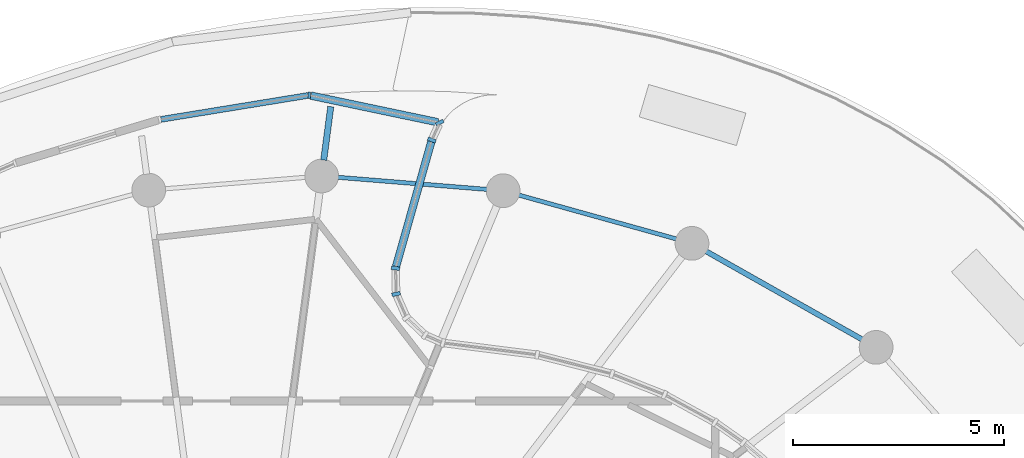
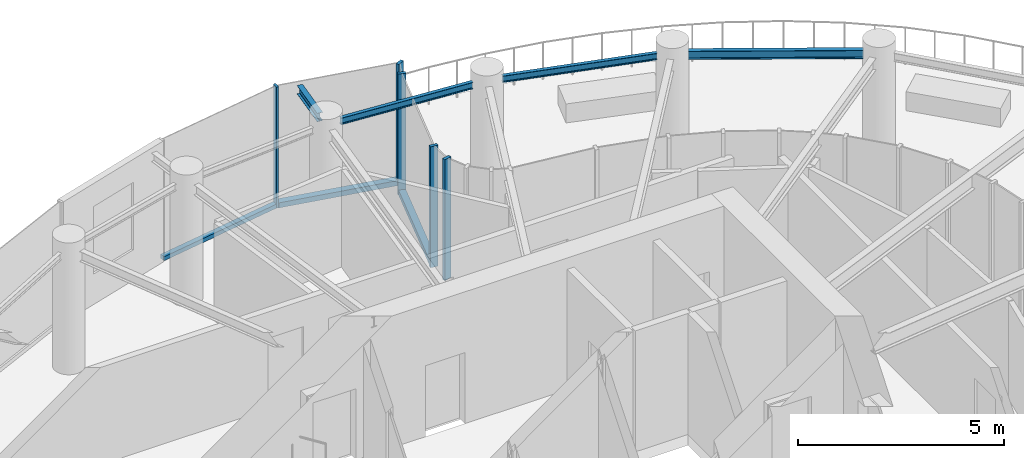
# One storey, part 6 of 19: 8 members, 4 beams, 2 elements without a shape of their own.
"""IFC4 building model written with IfcOpenShell, lengths in metres."""

from ifc_helpers import new_model, si_unit, direction, frame, origin, origin_2d, place, context, subcontext, project, spatial, rectangle, i_section, extrude, source, transform, mapped, material, layer, layer_set, material_profile, profile_set, type_object, element, aggregate, save


model = new_model("IFC4")

# Units and contexts
model_context = context("Model", 3, precision=1e-05, world=origin(), true_north=direction((0.0, 1.0)))
body_context = subcontext(model_context, "Body", "Model", "MODEL_VIEW")
ifc_project = project(units=[si_unit("LENGTHUNIT", "METRE"), si_unit("AREAUNIT", "SQUARE_METRE"), si_unit("VOLUMEUNIT", "CUBIC_METRE"), si_unit("PLANEANGLEUNIT", "RADIAN"), si_unit("MASSUNIT", "GRAM", prefix="KILO")], contexts=[model_context])

# Site, building, storey
site_placement = place(None, origin())
site = spatial("IfcSite", under=ifc_project, at=site_placement, CompositionType="ELEMENT")
building_placement = place(site_placement, origin())
building = spatial("IfcBuilding", under=site, at=building_placement, Name="Spindrift Exchange Tower", CompositionType="ELEMENT")
storey_placement = place(building_placement, frame((0.0, 0.0, 234.5)))
storey = spatial("IfcBuildingStorey", under=building, at=storey_placement, Name="L57", CompositionType="ELEMENT", Elevation=234.5)

# Beams
ifc_material_1 = material(Name="Steel Grade 300", Category="steel")
ifc_material_profile_1 = material_profile(ifc_material_1, i_section(OverallWidth=0.14599609375, OverallDepth=0.251953125, WebThickness=0.006103515625, FlangeThickness=0.008544921875, FilletRadius=0.011962890625, at=origin_2d()), Name="250UB31.4")
ifc_profile_set_1 = profile_set([ifc_material_profile_1], Name="Steel Grade 300")
beam_type_1 = type_object("IfcBeamType", Name="Cantilever Beam 250UB31.4 Steel Grade 300", PredefinedType="BEAM", material=ifc_profile_set_1)
shared_shape_1 = source(origin(), body_context, "Body", "SweptSolid", [
    extrude(i_section(OverallWidth=0.14599609375, OverallDepth=0.251953125, WebThickness=0.006103515625, FlangeThickness=0.008544921875, FilletRadius=0.011962890625, at=origin_2d()), origin(), (0.0, 0.0, 1.0), 1.277587890625),
])
beam_1_placement = place(storey_placement, frame((54.12060546875, 64.108154296875, 3.4541015625), z_axis=(0.130523720617, 0.991445186763, 0.0), x_axis=(-0.991445186763, 0.130523720617, 0.0)))
element("IfcBeam", 1, at=beam_1_placement, inside=storey, type_object=beam_type_1, Name="L57 cantilever beam R06T", PredefinedType="BEAM", context=body_context, shape_type="MappedRepresentation", body=[
    mapped(shared_shape_1, transform((0.0, 0.0, 0.0), scale=1.0)),
])
ifc_material_profile_2 = material_profile(ifc_material_1, i_section(OverallWidth=0.1240234375, OverallDepth=0.248046875, WebThickness=0.0048828125, FlangeThickness=0.008056640625, FilletRadius=0.011962890625, at=origin_2d()), Name="250UB25.7")
ifc_profile_set_2 = profile_set([ifc_material_profile_2], Name="Steel Grade 300")
beam_type_2 = type_object("IfcBeamType", Name="Edge Beam 250UB25.7 Steel Grade 300", PredefinedType="SPANDREL", material=ifc_profile_set_2)
shared_shape_2 = source(origin(), body_context, "Body", "SweptSolid", [
    extrude(i_section(OverallWidth=0.1240234375, OverallDepth=0.248046875, WebThickness=0.0048828125, FlangeThickness=0.008056640625, FilletRadius=0.011962890625, at=origin_2d()), origin(), (0.0, 0.0, 1.0), 4.2509765625),
])
beam_2_placement = place(storey_placement, frame((66.878662109375, 59.857666015625, 3.4560546875), z_axis=(-0.870615246867, 0.491964523033, 0.0), x_axis=(-0.491964523033, -0.870615246867, 0.0)))
element("IfcBeam", 2, at=beam_2_placement, inside=storey, type_object=beam_type_2, Name="L57 edge beam E03", PredefinedType="SPANDREL", context=body_context, shape_type="MappedRepresentation", body=[
    mapped(shared_shape_2, transform((0.0, 0.0, 0.0), scale=1.0)),
])
ifc_material_profile_3 = material_profile(ifc_material_1, i_section(OverallWidth=0.09912109375, OverallDepth=0.197998046875, WebThickness=0.00439453125, FlangeThickness=0.007080078125, FilletRadius=0.010986328125, at=origin_2d()), Name="200UB18.2")
ifc_profile_set_3 = profile_set([ifc_material_profile_3], Name="Steel Grade 300")
beam_type_3 = type_object("IfcBeamType", Name="Edge Beam 200UB18.2 Steel Grade 300", PredefinedType="SPANDREL", material=ifc_profile_set_3)
shared_shape_3 = source(origin(), body_context, "Body", "SweptSolid", [
    extrude(i_section(OverallWidth=0.09912109375, OverallDepth=0.197998046875, WebThickness=0.00439453125, FlangeThickness=0.007080078125, FilletRadius=0.010986328125, at=origin_2d()), origin(), (0.0, 0.0, 1.0), 3.885498046875),
])
beam_3_placement = place(storey_placement, frame((62.480712890625, 62.238037109375, 3.48095703125), z_axis=(-0.963333134661, 0.268308165482, 0.0), x_axis=(-0.268308165482, -0.963333134661, 0.0)))
element("IfcBeam", 3, at=beam_3_placement, inside=storey, type_object=beam_type_3, Name="L57 edge beam E04", PredefinedType="SPANDREL", context=body_context, shape_type="MappedRepresentation", body=[
    mapped(shared_shape_3, transform((0.0, 0.0, 0.0), scale=1.0)),
])
shared_shape_4 = source(origin(), body_context, "Body", "SweptSolid", [
    extrude(i_section(OverallWidth=0.09912109375, OverallDepth=0.197998046875, WebThickness=0.00439453125, FlangeThickness=0.007080078125, FilletRadius=0.010986328125, at=origin_2d()), origin(), (0.0, 0.0, 1.0), 3.5546875),
])
beam_4_placement = place(storey_placement, frame((57.992919921875, 63.413330078125, 3.48095703125), z_axis=(-0.996727103969, 0.080839842983, 0.0), x_axis=(-0.080839842983, -0.996727103969, 0.0)))
element("IfcBeam", 4, at=beam_4_placement, inside=storey, type_object=beam_type_3, Name="L57 edge beam E05", PredefinedType="SPANDREL", context=body_context, shape_type="MappedRepresentation", body=[
    mapped(shared_shape_4, transform((0.0, 0.0, 0.0), scale=1.0)),
])

# Curtain wall, members
ifc_material_2 = material(Name="Fritted laminated glass with bronze frame", Category="glass")
ifc_layer_1 = layer(ifc_material_2, 0.199951171875)
ifc_layer_set_1 = layer_set([ifc_layer_1], Name="SKY GARDEN BRONZE GLAZED WALL")
curtain_wall_type_1 = type_object("IfcCurtainWallType", Name="SKY GARDEN BRONZE GLAZED WALL", PredefinedType="NOTDEFINED", material=ifc_layer_set_1)
curtain_wall_1_placement = place(storey_placement, origin())
curtain_wall_1 = element("IfcCurtainWall", 5, at=curtain_wall_1_placement, inside=storey, type_object=curtain_wall_type_1, Name="L57 Sky Garden Bronze Glazed Wall run 9", PredefinedType="NOTDEFINED")
ifc_material_3 = material(Name="Bronze anodised aluminium", Category="aluminium")
ifc_material_profile_4 = material_profile(ifc_material_3, rectangle(XDim=0.0849609375, YDim=0.199951171875, at=origin_2d()), Name="SKY GARDEN BRONZE GLAZED WALL MULLION 85X200")
ifc_profile_set_4 = profile_set([ifc_material_profile_4], Name="Bronze anodised aluminium")
member_type_1 = type_object("IfcMemberType", Name="SKY GARDEN BRONZE GLAZED WALL MULLION 85X200", PredefinedType="MULLION", material=ifc_profile_set_4)
shared_shape_5 = source(origin(), body_context, "Body", "SweptSolid", [
    extrude(rectangle(XDim=0.0849609375, YDim=0.199951171875, at=origin_2d()), origin(), (0.0, 0.0, 1.0), 3.580078125),
])
member_1_placement = place(storey_placement, frame((55.83544921875, 60.93505859375, 0.0), z_axis=(0.0, 0.0, 1.0), x_axis=(-0.217595059547, 0.976039133468, 0.0)))
member_1 = element("IfcMember", 6, at=member_1_placement, type_object=member_type_1, Name="L57 mullion CW-G.49", PredefinedType="MULLION", context=body_context, shape_type="MappedRepresentation", body=[
    mapped(shared_shape_5, transform((0.0, 0.0, 0.0), scale=1.0)),
])
member_2_placement = place(storey_placement, frame((55.822509765625, 61.545654296875, 0.0), z_axis=(0.0, 0.0, 1.0), x_axis=(0.12687660921, 0.991918507759, 0.0)))
member_2 = element("IfcMember", 7, at=member_2_placement, type_object=member_type_1, Name="L57 mullion CW-G.50", PredefinedType="MULLION", context=body_context, shape_type="MappedRepresentation", body=[
    mapped(shared_shape_5, transform((0.0, 0.0, 0.0), scale=1.0)),
])
member_3_placement = place(storey_placement, frame((56.681396484375, 64.583251953125, 0.0), z_axis=(0.0, 0.0, 1.0), x_axis=(0.343625736719, 0.939106678213, 0.0)))
member_3 = element("IfcMember", 8, at=member_3_placement, type_object=member_type_1, Name="L57 mullion CW-G.51", PredefinedType="MULLION", context=body_context, shape_type="MappedRepresentation", body=[
    mapped(shared_shape_5, transform((0.0, 0.0, 0.0), scale=1.0)),
])
member_4_placement = place(storey_placement, frame((56.868408203125, 64.995361328125, 0.0), z_axis=(0.0, 0.0, 1.0), x_axis=(-0.451936496553, 0.892050112428, 0.0)))
member_4 = element("IfcMember", 9, at=member_4_placement, type_object=member_type_1, Name="L57 mullion CW-G.52", PredefinedType="MULLION", context=body_context, shape_type="MappedRepresentation", body=[
    mapped(shared_shape_5, transform((0.0, 0.0, 0.0), scale=1.0)),
])

ifc_layer_2 = layer(ifc_material_2, 0.159912109375)
ifc_layer_set_2 = layer_set([ifc_layer_2], Name="ZONE 5 BRONZE FRITTED WALL")
curtain_wall_type_2 = type_object("IfcCurtainWallType", Name="ZONE 5 BRONZE FRITTED WALL", PredefinedType="NOTDEFINED", material=ifc_layer_set_2)
curtain_wall_2_placement = place(storey_placement, origin())
curtain_wall_2 = element("IfcCurtainWall", 10, at=curtain_wall_2_placement, inside=storey, type_object=curtain_wall_type_2, Name="L57 Zone 5 Bronze Fritted Wall run 1", PredefinedType="NOTDEFINED")
ifc_material_profile_5 = material_profile(ifc_material_3, rectangle(XDim=0.06005859375, YDim=0.159912109375, at=origin_2d()), Name="ZONE 5 BRONZE FRITTED WALL MULLION 60X160")
ifc_profile_set_5 = profile_set([ifc_material_profile_5], Name="Bronze anodised aluminium")
member_type_2 = type_object("IfcMemberType", Name="ZONE 5 BRONZE FRITTED WALL MULLION 60X160", PredefinedType="MULLION", material=ifc_profile_set_5)
shared_shape_6 = source(origin(), body_context, "Body", "SweptSolid", [
    extrude(rectangle(XDim=0.06005859375, YDim=0.159912109375, at=origin_2d()), origin(), (0.0, 0.0, 1.0), 3.580078125),
])
member_5_placement = place(storey_placement, frame((53.775390625, 65.644775390625, 0.0), z_axis=(0.0, 0.0, 1.0), x_axis=(-0.999741865014, 0.022720108689, 0.0)))
member_5 = element("IfcMember", 11, at=member_5_placement, type_object=member_type_2, Name="L57 mullion CW-5.1", PredefinedType="MULLION", context=body_context, shape_type="MappedRepresentation", body=[
    mapped(shared_shape_6, transform((0.0, 0.0, 0.0), scale=1.0)),
])
ifc_material_profile_6 = material_profile(ifc_material_3, rectangle(XDim=0.139892578125, YDim=0.1201171875, at=origin_2d()), Name="ZONE 5 BRONZE FRITTED WALL TRANSOM 140X120")
ifc_profile_set_6 = profile_set([ifc_material_profile_6], Name="Bronze anodised aluminium")
member_type_3 = type_object("IfcMemberType", Name="ZONE 5 BRONZE FRITTED WALL TRANSOM 140X120", PredefinedType="USERDEFINED", material=ifc_profile_set_6)
shared_shape_7 = source(origin(), body_context, "Body", "SweptSolid", [
    extrude(rectangle(XDim=0.139892578125, YDim=0.1201171875, at=origin_2d()), origin(), (0.0, 0.0, 1.0), 3.52587890625),
])
member_6_placement = place(storey_placement, frame((53.74560546875, 65.639892578125, 0.06005859375), z_axis=(-0.98698989869, -0.160782274783, 0.0), x_axis=(0.160782274783, -0.98698989869, 0.0)))
member_6 = element("IfcMember", 12, at=member_6_placement, type_object=member_type_3, Name="L57 transom CW-5.1", ObjectType="TRANSOM", PredefinedType="USERDEFINED", context=body_context, shape_type="MappedRepresentation", body=[
    mapped(shared_shape_7, transform((0.0, 0.0, 0.0), scale=1.0)),
])
aggregate(curtain_wall_2, [member_5, member_6])

# Member
ifc_material_profile_7 = material_profile(ifc_material_3, rectangle(XDim=0.179931640625, YDim=0.14990234375, at=origin_2d()), Name="SKY GARDEN BRONZE GLAZED WALL TRANSOM 180X150")
ifc_profile_set_7 = profile_set([ifc_material_profile_7], Name="Bronze anodised aluminium")
member_type_4 = type_object("IfcMemberType", Name="SKY GARDEN BRONZE GLAZED WALL TRANSOM 180X150", PredefinedType="USERDEFINED", material=ifc_profile_set_7)
shared_shape_8 = source(origin(), body_context, "Body", "SweptSolid", [
    extrude(rectangle(XDim=0.179931640625, YDim=0.14990234375, at=origin_2d()), origin(), (0.0, 0.0, 1.0), 3.07177734375),
])
member_7_placement = place(storey_placement, frame((55.834228515625, 61.58642578125, 0.074951171875), z_axis=(0.272064207526, 0.962279100357, 0.0), x_axis=(-0.962279100357, 0.272064207526, 0.0)))
member_7 = element("IfcMember", 13, at=member_7_placement, type_object=member_type_4, Name="L57 transom CW-G.50", ObjectType="TRANSOM", PredefinedType="USERDEFINED", context=body_context, shape_type="MappedRepresentation", body=[
    mapped(shared_shape_8, transform((0.0, 0.0, 0.0), scale=1.0)),
])

shared_shape_9 = source(origin(), body_context, "Body", "SweptSolid", [
    extrude(rectangle(XDim=0.179931640625, YDim=0.14990234375, at=origin_2d()), origin(), (0.0, 0.0, 1.0), 3.07568359375),
])
member_8_placement = place(storey_placement, frame((56.826904296875, 65.004150390625, 0.074951171875), z_axis=(-0.978670895628, 0.205434364335, 0.0), x_axis=(-0.205434364335, -0.978670895628, 0.0)))
member_8 = element("IfcMember", 14, at=member_8_placement, type_object=member_type_4, Name="L57 transom CW-G.52", ObjectType="TRANSOM", PredefinedType="USERDEFINED", context=body_context, shape_type="MappedRepresentation", body=[
    mapped(shared_shape_9, transform((0.0, 0.0, 0.0), scale=1.0)),
])

aggregate(curtain_wall_1, [member_1, member_2, member_7, member_3, member_4, member_8])

save(model, "model.ifc")
